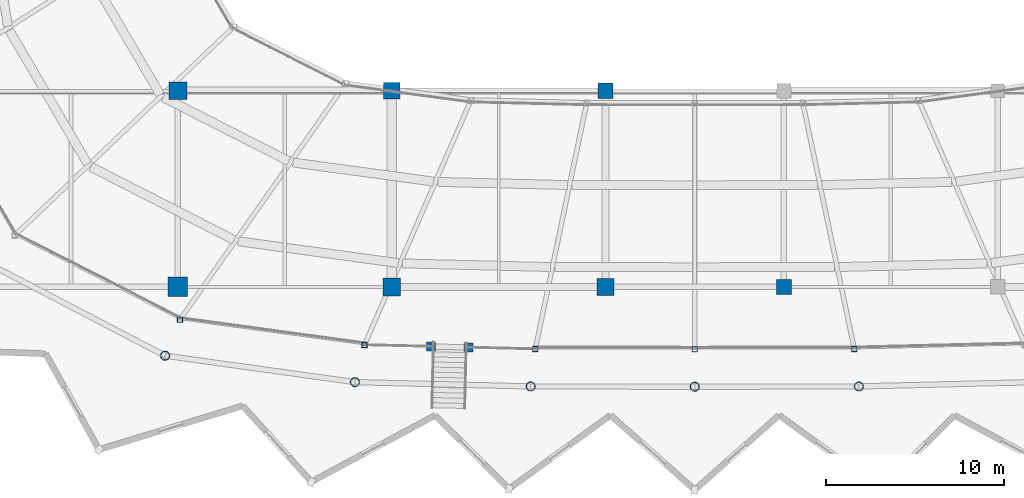
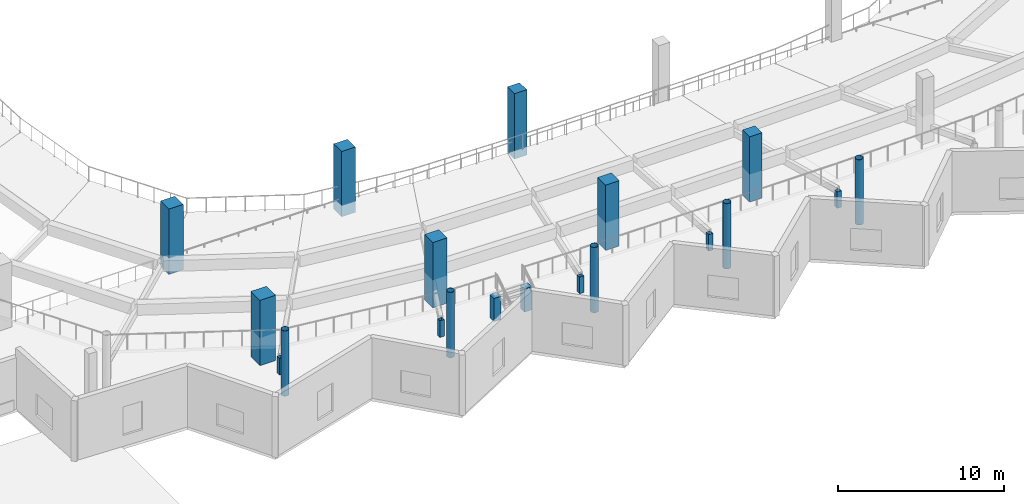
# One storey, part 5 of 77: 19 columns.
"""IFC4 building model written with IfcOpenShell, lengths in metres."""

import ifcopenshell
import ifcopenshell.guid

model = None  # the IFC model being written
_history = None  # IfcOwnerHistory: only IFC2X3 demands one
_inside = {}  # id of a spatial element -> (the spatial element, [elements in it])
_under = {}  # id of a project, library or spatial element -> (it, [spatial elements below it])
_declared = {}  # id of a project -> (the project, [libraries it declares])
_typed = {}  # id of a type object -> (the type object, [elements of that type])
_made_of = {}  # id of a material, layer set ... -> (it, [elements and type objects made of it])


def new_model(schema):
    """Start an empty IFC model of exactly this schema.

    Asked for "IFC4X3", IfcOpenShell would pick the latest addendum, in which some entities
    have other attributes; the version numbers below select the first issue.
    IFC2X3 requires an IfcOwnerHistory on every rooted entity: one is made here for all.
    """
    global model, _history
    if schema == "IFC4X3":
        model = ifcopenshell.file(schema_version=(4, 3, 0, 0))
    else:
        model = ifcopenshell.file(schema=schema)
    _inside.clear()
    _under.clear()
    _declared.clear()
    _typed.clear()
    _made_of.clear()
    _history = None
    if model.schema == "IFC2X3":
        org = make("IfcOrganization", Name="unknown")
        user = make(
            "IfcPersonAndOrganization",
            ThePerson=make("IfcPerson", FamilyName="unknown"),
            TheOrganization=org,
        )
        app = make(
            "IfcApplication",
            ApplicationDeveloper=org,
            Version="unknown",
            ApplicationFullName="unknown",
            ApplicationIdentifier="unknown",
        )
        _history = make(
            "IfcOwnerHistory",
            OwningUser=user,
            OwningApplication=app,
            ChangeAction="ADDED",
            CreationDate=0,
        )
    return model


def make(cls, **values):
    """One entity of the class cls with the attributes given. An attribute that is None is left unset."""
    return model.create_entity(
        cls, **{name: value for name, value in values.items() if value is not None}
    )


def rooted(cls, **values):
    """An entity with a GlobalId (a new one), such as an element, a storey or a relation."""
    return make(cls, GlobalId=ifcopenshell.guid.new(), OwnerHistory=_history, **values)


def si_unit(unit_type, name, prefix=None):
    """IfcSIUnit, for example si_unit("LENGTHUNIT", "METRE", prefix="MILLI")."""
    return make("IfcSIUnit", UnitType=unit_type, Prefix=prefix, Name=name)


def assignment(units):
    """IfcUnitAssignment: the units of a project."""
    return None if units is None else make("IfcUnitAssignment", Units=units)


def point(xyz):
    """IfcCartesianPoint."""
    return None if xyz is None else make("IfcCartesianPoint", Coordinates=xyz)


def direction(xyz):
    """IfcDirection."""
    return None if xyz is None else make("IfcDirection", DirectionRatios=xyz)


def frame(location, z_axis=None, x_axis=None):
    """IfcAxis2Placement3D, a coordinate frame: its origin and axes. An axis left out is left unset."""
    return make(
        "IfcAxis2Placement3D",
        Location=point(location),
        Axis=direction(z_axis),
        RefDirection=direction(x_axis),
    )


def frame_2d(location, x_axis=None):
    """IfcAxis2Placement2D, a coordinate frame in the plane: its origin and x axis."""
    return make(
        "IfcAxis2Placement2D", Location=point(location), RefDirection=direction(x_axis)
    )


def origin():
    """The frame at (0, 0, 0) with its axes left unset."""
    return frame((0.0, 0.0, 0.0))


def origin_2d():
    """The frame at (0, 0) in the plane with its x axis left unset."""
    return frame_2d((0.0, 0.0))


def place(relative_to, where):
    """IfcLocalPlacement: puts the frame where relative to a parent placement (None: the world)."""
    return make(
        "IfcLocalPlacement", PlacementRelTo=relative_to, RelativePlacement=where
    )


def context(
    kind, dimensions, precision=None, world=None, true_north=None, identifier=None
):
    """IfcGeometricRepresentationContext, for example the 3D "Model" context."""
    return make(
        "IfcGeometricRepresentationContext",
        ContextIdentifier=identifier,
        ContextType=kind,
        CoordinateSpaceDimension=dimensions,
        Precision=precision,
        WorldCoordinateSystem=world,
        TrueNorth=true_north,
    )


def subcontext(parent, identifier, kind, view, scale=None):
    """IfcGeometricRepresentationSubContext, for example "Body" below "Model"."""
    return make(
        "IfcGeometricRepresentationSubContext",
        ContextIdentifier=identifier,
        ContextType=kind,
        ParentContext=parent,
        TargetScale=scale,
        TargetView=view,
    )


def project(units=None, contexts=None):
    """IfcProject with its units and contexts."""
    return rooted(
        "IfcProject",
        Name="project",
        RepresentationContexts=contexts,
        UnitsInContext=assignment(units),
    )


def spatial(cls, under=None, at=None, **own):
    """A site, building, storey or space (cls), placed at a placement, below another one or the project."""
    s = rooted(cls, ObjectPlacement=at, **own)
    if under is not None:
        _under.setdefault(under.id(), (under, []))[1].append(s)
    return s


def profile(cls, at=None, kind="AREA", **sizes):
    """A parametric profile (cls). Its sizes go by their IFC names, for example OverallWidth=200.0."""
    return make(cls, ProfileType=kind, Position=at, **sizes)


def rectangle(**sizes):
    """IfcRectangleProfileDef."""
    return profile("IfcRectangleProfileDef", **sizes)


def hollow_rectangle(**sizes):
    """IfcRectangleHollowProfileDef."""
    return profile("IfcRectangleHollowProfileDef", **sizes)


def hollow_circle(**sizes):
    """IfcCircleHollowProfileDef."""
    return profile("IfcCircleHollowProfileDef", **sizes)


def extrude(swept, where, along, depth):
    """IfcExtrudedAreaSolid: the profile swept, set in the frame where, extruded along a direction by depth."""
    return make(
        "IfcExtrudedAreaSolid",
        SweptArea=swept,
        Position=where,
        ExtrudedDirection=direction(along),
        Depth=depth,
    )


def shape(context_of_items, identifier, shape_type, items):
    """IfcShapeRepresentation: the items that make up one representation, for example the "Body"."""
    return make(
        "IfcShapeRepresentation",
        ContextOfItems=context_of_items,
        RepresentationIdentifier=identifier,
        RepresentationType=shape_type,
        Items=items,
    )


def material(Name=None, Category=None):
    """IfcMaterial."""
    return make("IfcMaterial", Name=Name, Category=Category)


def material_profile(
    of_material, cross_section, Name=None, Category=None, Priority=None
):
    """IfcMaterialProfile: a cross section and its material."""
    return make(
        "IfcMaterialProfile",
        Name=Name,
        Material=of_material,
        Profile=cross_section,
        Priority=Priority,
        Category=Category,
    )


def profile_set(profiles, Name=None, composite=None):
    """IfcMaterialProfileSet."""
    return make(
        "IfcMaterialProfileSet",
        Name=Name,
        MaterialProfiles=profiles,
        CompositeProfile=composite,
    )


def made_of(thing, what):
    """Note that an element or type object is made of a material, layer set ...; save() writes the relation."""
    if what is not None:
        _made_of.setdefault(what.id(), (what, []))[1].append(thing)
    return thing


def type_object(cls, material=None, **own):
    """A type object (cls), such as IfcWallType, which elements share."""
    return made_of(rooted(cls, **own), material)


def element(
    cls,
    number,
    at=None,
    inside=None,
    cuts=None,
    type_object=None,
    material=None,
    context=None,
    identifier="Body",
    shape_type=None,
    held_by="IfcProductDefinitionShape",
    body=None,
    shapes=None,
    **own,
):
    """One element of the class cls, such as IfcWall. Its Tag is "e" and its number.

    at: its placement. inside: the storey or other place that contains it. cuts: it is an
    opening in that element (IfcRelVoidsElement). A single representation is given by context,
    identifier, shape_type and body (its items); several are given by shapes. held_by: the class
    of the entity that holds the representations. save() writes the other relations.
    """
    e = rooted(cls, Tag="e%d" % number, ObjectPlacement=at, **own)
    if body is not None:
        shapes = [shape(context, identifier, shape_type, body)]
    if shapes is not None:
        e.Representation = make(held_by, Representations=shapes)
    if inside is not None:
        _inside.setdefault(inside.id(), (inside, []))[1].append(e)
    if cuts is not None:
        rooted(
            "IfcRelVoidsElement", RelatingBuildingElement=cuts, RelatedOpeningElement=e
        )
    if type_object is not None:
        _typed.setdefault(type_object.id(), (type_object, []))[1].append(e)
    return made_of(e, material)


def aggregate(whole, parts):
    """IfcRelAggregates: a whole, such as a stair, and the parts it consists of."""
    return rooted("IfcRelAggregates", RelatingObject=whole, RelatedObjects=parts)


def save(model, path):
    """Write the relations noted so far, then the file.

    IfcRelAggregates (storeys below a building ...), IfcRelContainedInSpatialStructure (elements
    in a storey), IfcRelDefinesByType, IfcRelAssociatesMaterial and IfcRelDeclares: one each for
    every whole, place, type object, material and project.
    """
    for whole, parts in _under.values():
        aggregate(whole, parts)
    for where, things in _inside.values():
        rooted(
            "IfcRelContainedInSpatialStructure",
            RelatedElements=things,
            RelatingStructure=where,
        )
    for kind, things in _typed.values():
        rooted("IfcRelDefinesByType", RelatedObjects=things, RelatingType=kind)
    for what, things in _made_of.values():
        rooted("IfcRelAssociatesMaterial", RelatedObjects=things, RelatingMaterial=what)
    for by, libraries in _declared.values():
        rooted("IfcRelDeclares", RelatingContext=by, RelatedDefinitions=libraries)
    model.write(path)


model = new_model("IFC4")

# Units and contexts
model_context = context("Model", 3, precision=1e-05, world=origin(), true_north=direction((0.0, 1.0)))
body_context = subcontext(model_context, "Body", "Model", "MODEL_VIEW")
ifc_project = project(units=[si_unit("LENGTHUNIT", "METRE"), si_unit("AREAUNIT", "SQUARE_METRE"), si_unit("VOLUMEUNIT", "CUBIC_METRE"), si_unit("PLANEANGLEUNIT", "RADIAN"), si_unit("MASSUNIT", "GRAM", prefix="KILO")], contexts=[model_context])

# Site, building, storey
site_placement = place(None, origin())
site = spatial("IfcSite", under=ifc_project, at=site_placement, CompositionType="ELEMENT")
building_placement = place(site_placement, origin())
building = spatial("IfcBuilding", under=site, at=building_placement, Name="Luwafu Chhajja Arena", CompositionType="ELEMENT")
storey_placement = place(building_placement, frame((0.0, 0.0, 14.699951171875)))
storey = spatial("IfcBuildingStorey", under=building, at=storey_placement, Name="L03", CompositionType="ELEMENT", Elevation=14.699951171875)

# Columns
ifc_material_1 = material(Name="Concrete C40/50", Category="concrete")
ifc_material_profile_1 = material_profile(ifc_material_1, rectangle(XDim=1.0, YDim=1.0, at=origin_2d()), Name="RC 1000x1000")
ifc_profile_set_1 = profile_set([ifc_material_profile_1], Name="Concrete C40/50")
column_type_1 = type_object("IfcColumnType", Name="Bowl Primary Column RC 1000", PredefinedType="COLUMN", material=ifc_profile_set_1)
for number, where, z_axis, x_axis, name in (
    (1, (70.0, 22.0, 0.0), (0.0, 0.0, 1.0), (1.0, 0.0, 0.0), "L03 Grid Column 7/C"),
    (2, (82.0, 11.0, 0.0), (0.0, 0.0, 1.0), (1.0, 0.0, 0.0), "L03 Grid Column 8/B"),
):
    element("IfcColumn", number, at=place(storey_placement, frame(where, z_axis=z_axis, x_axis=x_axis)), inside=storey, type_object=column_type_1, Name=name, PredefinedType="COLUMN", context=body_context, shape_type="SweptSolid", body=[
        extrude(rectangle(XDim=1.0, YDim=1.0, at=origin_2d()), origin(), (0.0, 0.0, 1.0), 4.800048828125),
    ])
ifc_material_profile_2 = material_profile(ifc_material_1, rectangle(XDim=0.949951171875, YDim=0.949951171875, at=origin_2d()), Name="RC 950x950")
ifc_profile_set_2 = profile_set([ifc_material_profile_2], Name="Concrete C40/50")
column_type_2 = type_object("IfcColumnType", Name="Bowl Raker Support Column RC 950", PredefinedType="COLUMN", material=ifc_profile_set_2)
for number, where, z_axis, x_axis, name in (
    (3, (82.0, 22.0, 0.0), (0.0, 0.0, 1.0), (1.0, 0.0, 0.0), "L03 Grid Column 8/C"),
    (4, (94.0, 11.0, 0.0), (0.0, 0.0, 1.0), (1.0, 0.0, 0.0), "L03 Grid Column 9/B"),
):
    element("IfcColumn", number, at=place(storey_placement, frame(where, z_axis=z_axis, x_axis=x_axis)), inside=storey, type_object=column_type_2, Name=name, PredefinedType="COLUMN", context=body_context, shape_type="SweptSolid", body=[
        extrude(rectangle(XDim=0.949951171875, YDim=0.949951171875, at=origin_2d()), origin(), (0.0, 0.0, 1.0), 4.800048828125),
    ])
ifc_material_profile_3 = material_profile(ifc_material_1, rectangle(XDim=1.10009765625, YDim=1.10009765625, at=origin_2d()), Name="RC 1100x1100")
ifc_profile_set_3 = profile_set([ifc_material_profile_3], Name="Concrete C40/50")
column_type_3 = type_object("IfcColumnType", Name="Bowl Rim Mega Column RC 1100", PredefinedType="COLUMN", material=ifc_profile_set_3)
column_placement = place(storey_placement, frame((70.0, 11.0, 0.0), z_axis=(0.0, 0.0, 1.0), x_axis=(1.0, 0.0, 0.0)))
element("IfcColumn", 5, at=column_placement, inside=storey, type_object=column_type_3, Name="L03 Grid Column 7/B", PredefinedType="COLUMN", context=body_context, shape_type="SweptSolid", body=[
    extrude(rectangle(XDim=1.10009765625, YDim=1.10009765625, at=origin_2d()), origin(), (0.0, 0.0, 1.0), 4.800048828125),
])
ifc_material_2 = material(Name="Concrete C35/45", Category="concrete")
ifc_material_profile_4 = material_profile(ifc_material_2, rectangle(XDim=0.85009765625, YDim=0.85009765625, at=origin_2d()), Name="RC 850x850")
ifc_profile_set_4 = profile_set([ifc_material_profile_4], Name="Concrete C35/45")
column_type_4 = type_object("IfcColumnType", Name="Concourse Heavy Column RC 850", PredefinedType="COLUMN", material=ifc_profile_set_4)
for number, where, z_axis, x_axis, name in (
    (6, (94.0, 22.0, 0.0), (0.0, 0.0, 1.0), (1.0, 0.0, 0.0), "L03 Grid Column 9/C"),
    (7, (104.0, 11.0, 0.0), (0.0, 0.0, 1.0), (1.0, 0.0, 0.0), "L03 Grid Column 10/B"),
):
    element("IfcColumn", number, at=place(storey_placement, frame(where, z_axis=z_axis, x_axis=x_axis)), inside=storey, type_object=column_type_4, Name=name, PredefinedType="COLUMN", context=body_context, shape_type="SweptSolid", body=[
        extrude(rectangle(XDim=0.85009765625, YDim=0.85009765625, at=origin_2d()), origin(), (0.0, 0.0, 1.0), 4.800048828125),
    ])
ifc_material_profile_5 = material_profile(ifc_material_2, rectangle(XDim=0.5, YDim=0.5, at=origin_2d()), Name="RC 500x500")
ifc_profile_set_5 = profile_set([ifc_material_profile_5], Name="Concrete C35/45")
column_type_5 = type_object("IfcColumnType", Name="Pavilion Column RC 500", PredefinedType="COLUMN", material=ifc_profile_set_5)
for number, where, z_axis, x_axis, name in (
    (8, (84.210205078125, 7.652587890625, 0.0), (0.0, 0.0, 1.0), (1.0, 0.0, 0.0), "L03 Vomitory Header Column VU23A"),
    (9, (86.3095703125, 7.601806640625, 0.0), (0.0, 0.0, 1.0), (1.0, 0.0, 0.0), "L03 Vomitory Header Column VU23B"),
):
    element("IfcColumn", number, at=place(storey_placement, frame(where, z_axis=z_axis, x_axis=x_axis)), inside=storey, type_object=column_type_5, Name=name, PredefinedType="COLUMN", context=body_context, shape_type="SweptSolid", body=[
        extrude(rectangle(XDim=0.5, YDim=0.5, at=origin_2d()), origin(), (0.0, 0.0, 1.0), 1.699951171875),
    ])
ifc_material_3 = material(Name="Steel S355", Category="steel")
ifc_material_profile_6 = material_profile(ifc_material_3, hollow_rectangle(XDim=0.300048828125, YDim=0.300048828125, WallThickness=0.01611328125, at=origin_2d()), Name="SHS 300x300x16")
ifc_profile_set_6 = profile_set([ifc_material_profile_6], Name="Steel S355")
column_type_6 = type_object("IfcColumnType", Name="Steel Gallery Post SHS 300", PredefinedType="COLUMN", material=ifc_profile_set_6)
for number, where, z_axis, x_axis, name in (
    (10, (70.116455078125, 9.154541015625, 0.0), (0.0, 0.0, 1.0), (1.0, 0.0, 0.0), "L03 Upper Raker Rear Post 22"),
    (11, (80.46826171875, 7.7431640625, 0.0), (0.0, 0.0, 1.0), (1.0, 0.0, 0.0), "L03 Upper Raker Rear Post 23"),
    (12, (90.051513671875, 7.51123046875, 0.0), (0.0, 0.0, 1.0), (1.0, 0.0, 0.0), "L03 Upper Raker Rear Post 24"),
    (13, (99.0, 7.5, 0.0), (0.0, 0.0, 1.0), (1.0, 0.0, 0.0), "L03 Upper Raker Rear Post 25"),
    (14, (107.948486328125, 7.51123046875, 0.0), (0.0, 0.0, 1.0), (1.0, 0.0, 0.0), "L03 Upper Raker Rear Post 26"),
):
    element("IfcColumn", number, at=place(storey_placement, frame(where, z_axis=z_axis, x_axis=x_axis)), inside=storey, type_object=column_type_6, Name=name, PredefinedType="COLUMN", context=body_context, shape_type="SweptSolid", body=[
        extrude(hollow_rectangle(XDim=0.300048828125, YDim=0.300048828125, WallThickness=0.01611328125, at=origin_2d()), origin(), (0.0, 0.0, 1.0), 1.219970703125),
    ])
ifc_material_profile_7 = material_profile(ifc_material_3, hollow_circle(Radius=0.25390625, WallThickness=0.02001953125, at=origin_2d()), Name="CHS 508x20")
ifc_profile_set_7 = profile_set([ifc_material_profile_7], Name="Steel S355")
column_type_7 = type_object("IfcColumnType", Name="Steel Upper Drum Column CHS 508", PredefinedType="COLUMN", material=ifc_profile_set_7)
for number, where, z_axis, x_axis, name in (
    (15, (69.281982421875, 7.13720703125, 0.0), (0.0, 0.0, 1.0), (1.0, 0.0, 0.0), "L03 Bowl Drum Column D22"),
    (16, (79.932861328125, 5.6552734375, 0.0), (0.0, 0.0, 1.0), (1.0, 0.0, 0.0), "L03 Bowl Drum Column D23"),
    (17, (89.792724609375, 5.411865234375, 0.0), (0.0, 0.0, 1.0), (1.0, 0.0, 0.0), "L03 Bowl Drum Column D24"),
    (18, (99.0, 5.39990234375, 0.0), (0.0, 0.0, 1.0), (1.0, 0.0, 0.0), "L03 Bowl Drum Column D25"),
    (19, (108.207275390625, 5.411865234375, 0.0), (0.0, 0.0, 1.0), (1.0, 0.0, 0.0), "L03 Bowl Drum Column D26"),
):
    element("IfcColumn", number, at=place(storey_placement, frame(where, z_axis=z_axis, x_axis=x_axis)), inside=storey, type_object=column_type_7, Name=name, PredefinedType="COLUMN", context=body_context, shape_type="SweptSolid", body=[
        extrude(hollow_circle(Radius=0.25390625, WallThickness=0.02001953125, at=origin_2d()), origin(), (0.0, 0.0, 1.0), 4.800048828125),
    ])

save(model, "model.ifc")
